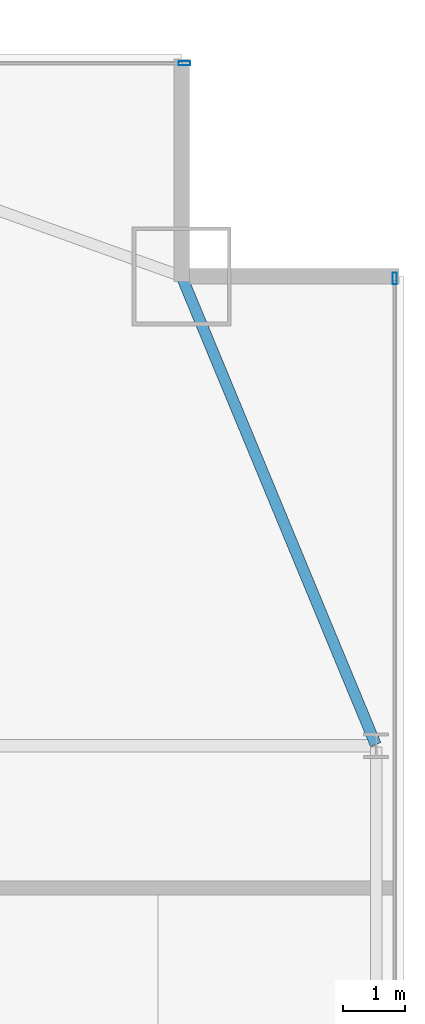
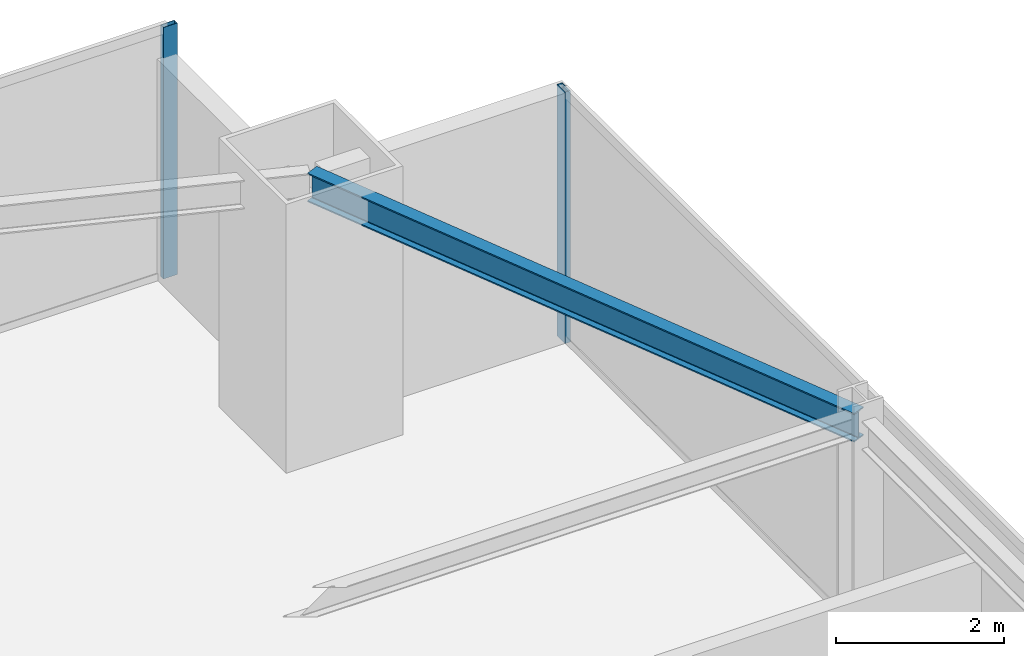
# One storey, part 23 of 29: 2 members, 1 beam, 2 elements without a shape of their own.
"""IFC4 building model written with IfcOpenShell, lengths in metres."""

from ifc_helpers import new_model, si_unit, direction, frame, origin, origin_2d, place, context, subcontext, project, spatial, hollow_rectangle, i_section, extrude, source, transform, mapped, material, layer, layer_set, material_profile, profile_set, type_object, type_shapes, element, aggregate, save


model = new_model("IFC4")

# Units and contexts
model_context = context("Model", 3, precision=1e-05, world=origin(), true_north=direction((0.0, 1.0)))
body_context = subcontext(model_context, "Body", "Model", "MODEL_VIEW")
ifc_project = project(units=[si_unit("LENGTHUNIT", "METRE"), si_unit("AREAUNIT", "SQUARE_METRE"), si_unit("VOLUMEUNIT", "CUBIC_METRE"), si_unit("PLANEANGLEUNIT", "RADIAN"), si_unit("MASSUNIT", "GRAM", prefix="KILO")], contexts=[model_context])

# Site, building, storey
site_placement = place(None, origin())
site = spatial("IfcSite", under=ifc_project, at=site_placement, CompositionType="ELEMENT")
building_placement = place(site_placement, origin())
building = spatial("IfcBuilding", under=site, at=building_placement, Name="Varnel Quay Broadcast Tower", CompositionType="ELEMENT")
storey_placement = place(building_placement, frame((0.0, 0.0, 74.39990234375)))
storey = spatial("IfcBuildingStorey", under=building, at=storey_placement, Name="L17", CompositionType="ELEMENT", Elevation=74.39990234375)

# Beam
ifc_material_1 = material(Name="Structural Steel CSA G40.21 350W", Category="steel")
ifc_material_profile_1 = material_profile(ifc_material_1, i_section(OverallWidth=0.180908203125, OverallDepth=0.4169921875, WebThickness=0.010986328125, FlangeThickness=0.018310546875, FilletRadius=0.011962890625, at=origin_2d()), Name="W410X85")
ifc_profile_set_1 = profile_set([ifc_material_profile_1], Name="Structural Steel CSA G40.21 350W")
beam_type = type_object("IfcBeamType", Name="Beam_W410X85", PredefinedType="SPANDREL", material=ifc_profile_set_1)
shared_shape_1 = source(origin(), body_context, "Body", "SweptSolid", [
    extrude(i_section(OverallWidth=0.180908203125, OverallDepth=0.4169921875, WebThickness=0.010986328125, FlangeThickness=0.018310546875, FilletRadius=0.011962890625, at=origin_2d()), origin(), (0.0, 0.0, 1.0), 8.186767578125),
])
type_shapes(beam_type, [shared_shape_1])
beam_placement = place(storey_placement, frame((65.542236328125, 35.618408203125, 3.441650390625), z_axis=(-0.382874132092, 0.923800519038, 0.0), x_axis=(-0.923800519038, -0.382874132092, 0.0)))
element("IfcBeam", 1, at=beam_placement, inside=storey, type_object=beam_type, Name="L17 East Spandrel TC-E3-MC-NE", PredefinedType="SPANDREL", context=body_context, shape_type="MappedRepresentation", body=[
    mapped(shared_shape_1, transform((0.0, 0.0, 0.0), x_axis=(1.0, 0.0, 0.0), y_axis=(0.0, 1.0, 0.0), z_axis=(0.0, 0.0, 1.0), scale=1.0)),
])

# Curtain wall, member
ifc_material_2 = material(Name="Anodised Bronze Aluminium 6063-T6", Category="aluminium")
ifc_layer = layer(ifc_material_2, 0.18994140625, Name="Anodised Bronze Aluminium 6063-T6")
ifc_layer_set = layer_set([ifc_layer], Name="Anodised Bronze Aluminium 6063-T6")
curtain_wall_type = type_object("IfcCurtainWallType", Name="CW_LowerTower", PredefinedType="NOTDEFINED", material=ifc_layer_set)
curtain_wall_1_placement = place(storey_placement, origin())
curtain_wall_1 = element("IfcCurtainWall", 2, at=curtain_wall_1_placement, inside=storey, type_object=curtain_wall_type, Name="L17 East Unitised Curtain Wall", PredefinedType="NOTDEFINED")
ifc_material_profile_2 = material_profile(ifc_material_2, hollow_rectangle(XDim=0.070068359375, YDim=0.18994140625, WallThickness=0.00390625, at=origin_2d()), Name="ALU70X190X4")
ifc_profile_set_2 = profile_set([ifc_material_profile_2], Name="Anodised Bronze Aluminium 6063-T6")
member_type = type_object("IfcMemberType", Name="Mull_CWS-02", PredefinedType="MULLION", material=ifc_profile_set_2)
shared_shape_2 = source(origin(), body_context, "Body", "SweptSolid", [
    extrude(hollow_rectangle(XDim=0.070068359375, YDim=0.18994140625, WallThickness=0.00390625, at=origin_2d()), origin(), (0.0, 0.0, 1.0), 3.650146484375),
])
type_shapes(member_type, [shared_shape_2])
member_1_placement = place(storey_placement, frame((65.85009765625, 43.1650390625, 0.0), z_axis=(0.0, 0.0, 1.0), x_axis=(-1.0, 0.0, 0.0)))
member_1 = element("IfcMember", 3, at=member_1_placement, type_object=member_type, Name="CWS-02 mullion 4", PredefinedType="MULLION", context=body_context, shape_type="MappedRepresentation", body=[
    mapped(shared_shape_2, transform((0.0, 0.0, 0.0), x_axis=(1.0, 0.0, 0.0), y_axis=(0.0, 1.0, 0.0), z_axis=(0.0, 0.0, 1.0), scale=1.0)),
])
aggregate(curtain_wall_1, [member_1])

curtain_wall_2_placement = place(storey_placement, origin())
curtain_wall_2 = element("IfcCurtainWall", 4, at=curtain_wall_2_placement, inside=storey, type_object=curtain_wall_type, Name="L17 NE Wing Curtain Wall", PredefinedType="NOTDEFINED")
member_2_placement = place(storey_placement, frame((62.445068359375, 46.64990234375, 0.0), z_axis=(0.0, 0.0, 1.0), x_axis=(0.0, 1.0, 0.0)))
member_2 = element("IfcMember", 5, at=member_2_placement, type_object=member_type, Name="CWS-02 mullion 2", PredefinedType="MULLION", context=body_context, shape_type="MappedRepresentation", body=[
    mapped(shared_shape_2, transform((0.0, 0.0, 0.0), x_axis=(1.0, 0.0, 0.0), y_axis=(0.0, 1.0, 0.0), z_axis=(0.0, 0.0, 1.0), scale=1.0)),
])
aggregate(curtain_wall_2, [member_2])

save(model, "model.ifc")
